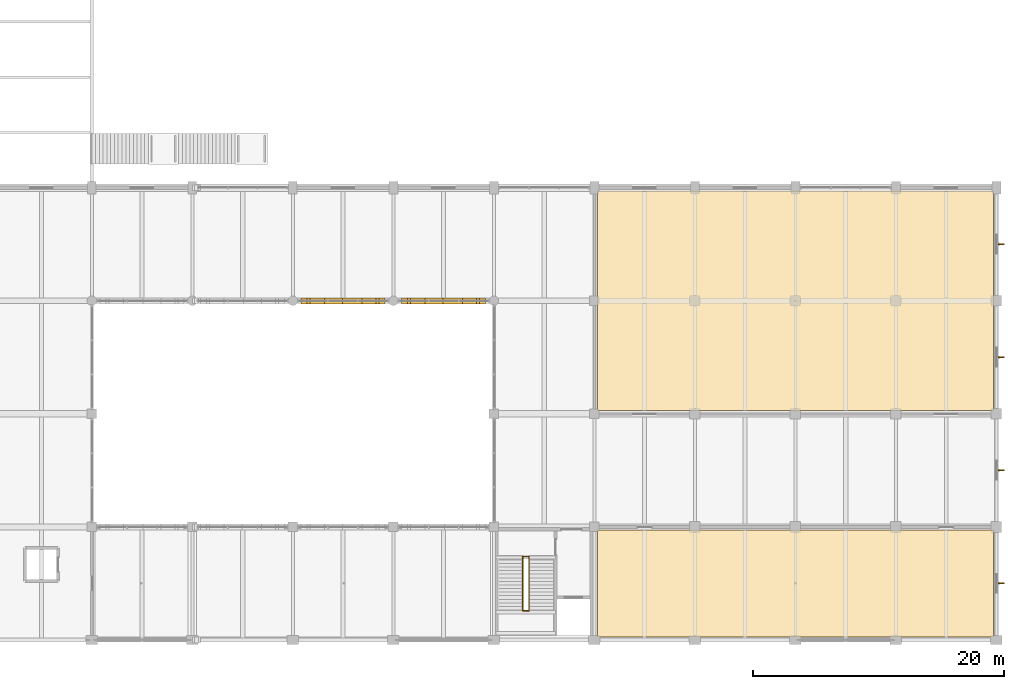
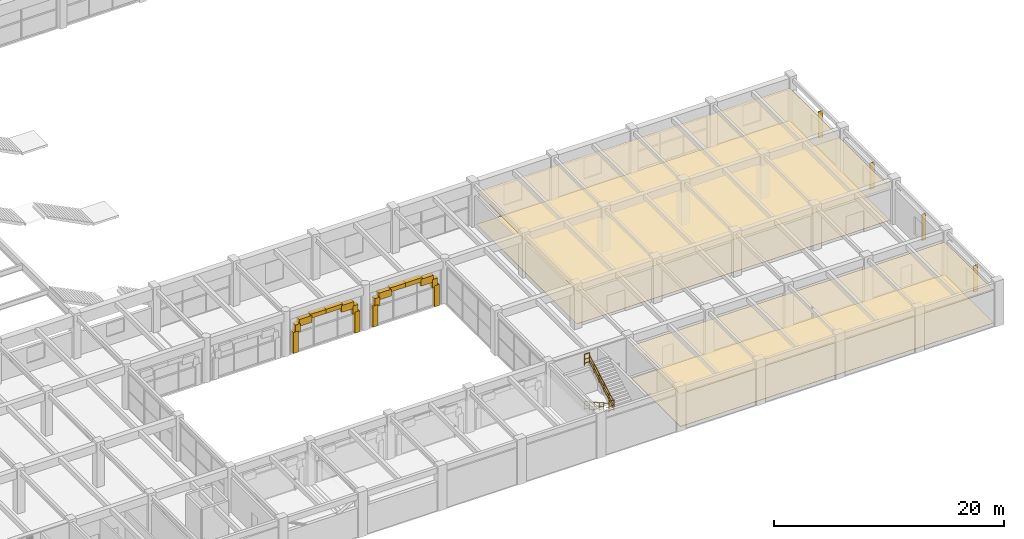
# One storey, part 142 of 144: 20 coverings, 4 railings, 4 shading devices.
"""IFC4 building model written with IfcOpenShell, lengths in metres."""

from ifc_helpers import new_model, si_unit, direction, frame, origin, origin_2d, place, context, subcontext, project, spatial, polyline, rectangle, circle, outline, extrude, material, layer, layer_set, type_object, element, save


model = new_model("IFC4")

# Units and contexts
model_context = context("Model", 3, precision=1e-05, world=origin(), true_north=direction((0.0, 1.0)))
body_context = subcontext(model_context, "Body", "Model", "MODEL_VIEW")
ifc_project = project(units=[si_unit("LENGTHUNIT", "METRE"), si_unit("AREAUNIT", "SQUARE_METRE"), si_unit("VOLUMEUNIT", "CUBIC_METRE"), si_unit("PLANEANGLEUNIT", "RADIAN"), si_unit("MASSUNIT", "GRAM", prefix="KILO")], contexts=[model_context])

# Site, building, storey
site_placement = place(None, origin())
site = spatial("IfcSite", under=ifc_project, at=site_placement, CompositionType="ELEMENT")
building_placement = place(site_placement, origin())
building = spatial("IfcBuilding", under=site, at=building_placement, Name="Varnabhumi Central Station", CompositionType="ELEMENT")
storey_placement = place(building_placement, frame((0.0, 0.0, 4.800048828125)))
storey = spatial("IfcBuildingStorey", under=building, at=storey_placement, Name="L01", CompositionType="ELEMENT", Elevation=4.800048828125)

# Coverings
ifc_material_1 = material(Name="Mineral-fibre acoustic tile")
ifc_layer_1 = layer(ifc_material_1, 0.02490234375, Name="Mineral-fibre acoustic tile")
ifc_layer_set_1 = layer_set([ifc_layer_1], Name="Mineral-fibre acoustic tile")
covering_type_1 = type_object("IfcCoveringType", Name="COV-CEIL-ACOUSTIC", PredefinedType="CEILING", material=ifc_layer_set_1)
covering_1_placement = place(storey_placement, frame((0.0, 0.0, 3.469970703125)))
element("IfcCovering", 1, at=covering_1_placement, inside=storey, type_object=covering_type_1, Name="On-Board Train Catering Commissary Acoustic Ceiling", PredefinedType="CEILING", context=body_context, shape_type="SweptSolid", body=[
    extrude(outline(polyline([(152.25, 18.25), (183.75, 18.25), (183.75, 35.75), (152.25, 35.75), (152.25, 18.25)])), origin(), (0.0, 0.0, 1.0), 0.02490234375),
])
covering_2_placement = place(storey_placement, frame((0.0, 0.0, 3.469970703125)))
element("IfcCovering", 2, at=covering_2_placement, inside=storey, type_object=covering_type_1, Name="Dry Commissary Store Acoustic Ceiling", PredefinedType="CEILING", context=body_context, shape_type="SweptSolid", body=[
    extrude(outline(polyline([(152.25, 0.25), (183.75, 0.25), (183.75, 8.75), (152.25, 8.75), (152.25, 0.25)])), origin(), (0.0, 0.0, 1.0), 0.02490234375),
])
ifc_material_2 = material(Name="Vitrified granite stone flooring", Category="masonry")
ifc_layer_2 = layer(ifc_material_2, 0.030029296875, Name="Vitrified granite stone flooring", Category="masonry")
ifc_layer_set_2 = layer_set([ifc_layer_2], Name="Vitrified granite stone flooring")
covering_type_2 = type_object("IfcCoveringType", Name="COV-FLOR-GRANITE", PredefinedType="FLOORING", material=ifc_layer_set_2)
covering_3_placement = place(storey_placement, origin())
element("IfcCovering", 3, at=covering_3_placement, inside=storey, type_object=covering_type_2, Name="On-Board Train Catering Commissary Granite Flooring", PredefinedType="FLOORING", context=body_context, shape_type="SweptSolid", body=[
    extrude(outline(polyline([(152.25, 18.25), (183.75, 18.25), (183.75, 35.75), (152.25, 35.75), (152.25, 18.25)])), origin(), (0.0, 0.0, 1.0), 0.030029296875),
])
covering_4_placement = place(storey_placement, origin())
element("IfcCovering", 4, at=covering_4_placement, inside=storey, type_object=covering_type_2, Name="Dry Commissary Store Granite Flooring", PredefinedType="FLOORING", context=body_context, shape_type="SweptSolid", body=[
    extrude(outline(polyline([(152.25, 0.25), (183.75, 0.25), (183.75, 8.75), (152.25, 8.75), (152.25, 0.25)])), origin(), (0.0, 0.0, 1.0), 0.030029296875),
])
ifc_material_3 = material(Name="Terracotta clay Mission barrel tile", Category="masonry")
ifc_layer_3 = layer(ifc_material_3, 0.02001953125, Name="Terracotta clay Mission barrel tile", Category="masonry")
ifc_layer_set_3 = layer_set([ifc_layer_3], Name="Terracotta clay Mission barrel tile")
covering_type_3 = type_object("IfcCoveringType", Name="COV-WALL-FAIENCE", PredefinedType="CLADDING", material=ifc_layer_set_3)
covering_5_placement = place(storey_placement, frame((129.107421875, 27.0, 2.06005859375), z_axis=(0.0, 0.0, 1.0), x_axis=(1.0, 0.0, 0.0)))
element("IfcCovering", 5, at=covering_5_placement, inside=storey, type_object=covering_type_3, Name="South Patio Cloister Arch L01-N3 Stone Voussoir 1", PredefinedType="CLADDING", context=body_context, shape_type="SweptSolid", body=[
    extrude(rectangle(XDim=0.534912109375, YDim=0.47998046875, at=origin_2d()), origin(), (0.0, 0.0, 1.0), 0.8798828125),
])
covering_6_placement = place(storey_placement, frame((129.882568359375, 27.0, 2.66015625), z_axis=(0.0, 0.0, 1.0), x_axis=(1.0, 0.0, 0.0)))
element("IfcCovering", 6, at=covering_6_placement, inside=storey, type_object=covering_type_3, Name="South Patio Cloister Arch L01-N3 Stone Voussoir 2", PredefinedType="CLADDING", context=body_context, shape_type="SweptSolid", body=[
    extrude(rectangle(XDim=1.2548828125, YDim=0.47998046875, at=origin_2d()), origin(), (0.0, 0.0, 1.0), 0.718994140625),
])
for number, where, z_axis, x_axis, name in (
    (7, (131.22509765625, 27.0, 3.098876953125), (0.0, 0.0, 1.0), (1.0, 0.0, 0.0), "South Patio Cloister Arch L01-N3 Stone Voussoir 3"),
    (8, (132.77490234375, 27.0, 3.098876953125), (0.0, 0.0, 1.0), (1.0, 0.0, 0.0), "South Patio Cloister Arch L01-N3 Stone Voussoir 4"),
):
    element("IfcCovering", number, at=place(storey_placement, frame(where, z_axis=z_axis, x_axis=x_axis)), inside=storey, type_object=covering_type_3, Name=name, PredefinedType="CLADDING", context=body_context, shape_type="SweptSolid", body=[
        extrude(rectangle(XDim=1.669921875, YDim=0.47998046875, at=origin_2d()), origin(), (0.0, 0.0, 1.0), 0.44091796875),
    ])
covering_7_placement = place(storey_placement, frame((134.117431640625, 27.0, 2.66015625), z_axis=(0.0, 0.0, 1.0), x_axis=(1.0, 0.0, 0.0)))
element("IfcCovering", 9, at=covering_7_placement, inside=storey, type_object=covering_type_3, Name="South Patio Cloister Arch L01-N3 Stone Voussoir 5", PredefinedType="CLADDING", context=body_context, shape_type="SweptSolid", body=[
    extrude(rectangle(XDim=1.2548828125, YDim=0.47998046875, at=origin_2d()), origin(), (0.0, 0.0, 1.0), 0.718994140625),
])
covering_8_placement = place(storey_placement, frame((134.892578125, 27.0, 2.06005859375), z_axis=(0.0, 0.0, 1.0), x_axis=(1.0, 0.0, 0.0)))
element("IfcCovering", 10, at=covering_8_placement, inside=storey, type_object=covering_type_3, Name="South Patio Cloister Arch L01-N3 Stone Voussoir 6", PredefinedType="CLADDING", context=body_context, shape_type="SweptSolid", body=[
    extrude(rectangle(XDim=0.534912109375, YDim=0.47998046875, at=origin_2d()), origin(), (0.0, 0.0, 1.0), 0.8798828125),
])
for number, where, z_axis, x_axis, name in (
    (11, (128.89990234375, 27.0, -0.02001953125), (0.0, 0.0, 1.0), (1.0, 0.0, 0.0), "South Patio Cloister Arch L01-N3 Classical Pilaster 1"),
    (12, (135.10009765625, 27.0, -0.02001953125), (0.0, 0.0, 1.0), (1.0, 0.0, 0.0), "South Patio Cloister Arch L01-N3 Classical Pilaster 2"),
):
    element("IfcCovering", number, at=place(storey_placement, frame(where, z_axis=z_axis, x_axis=x_axis)), inside=storey, type_object=covering_type_3, Name=name, PredefinedType="CLADDING", context=body_context, shape_type="SweptSolid", body=[
        extrude(rectangle(XDim=0.47998046875, YDim=0.47998046875, at=origin_2d()), origin(), (0.0, 0.0, 1.0), 2.239990234375),
    ])
covering_9_placement = place(storey_placement, frame((137.107421875, 27.0, 2.06005859375), z_axis=(0.0, 0.0, 1.0), x_axis=(1.0, 0.0, 0.0)))
element("IfcCovering", 13, at=covering_9_placement, inside=storey, type_object=covering_type_3, Name="South Patio Cloister Arch L01-N4 Stone Voussoir 1", PredefinedType="CLADDING", context=body_context, shape_type="SweptSolid", body=[
    extrude(rectangle(XDim=0.534912109375, YDim=0.47998046875, at=origin_2d()), origin(), (0.0, 0.0, 1.0), 0.8798828125),
])
covering_10_placement = place(storey_placement, frame((137.882568359375, 27.0, 2.66015625), z_axis=(0.0, 0.0, 1.0), x_axis=(1.0, 0.0, 0.0)))
element("IfcCovering", 14, at=covering_10_placement, inside=storey, type_object=covering_type_3, Name="South Patio Cloister Arch L01-N4 Stone Voussoir 2", PredefinedType="CLADDING", context=body_context, shape_type="SweptSolid", body=[
    extrude(rectangle(XDim=1.2548828125, YDim=0.47998046875, at=origin_2d()), origin(), (0.0, 0.0, 1.0), 0.718994140625),
])
for number, where, z_axis, x_axis, name in (
    (15, (139.22509765625, 27.0, 3.098876953125), (0.0, 0.0, 1.0), (1.0, 0.0, 0.0), "South Patio Cloister Arch L01-N4 Stone Voussoir 3"),
    (16, (140.77490234375, 27.0, 3.098876953125), (0.0, 0.0, 1.0), (1.0, 0.0, 0.0), "South Patio Cloister Arch L01-N4 Stone Voussoir 4"),
):
    element("IfcCovering", number, at=place(storey_placement, frame(where, z_axis=z_axis, x_axis=x_axis)), inside=storey, type_object=covering_type_3, Name=name, PredefinedType="CLADDING", context=body_context, shape_type="SweptSolid", body=[
        extrude(rectangle(XDim=1.669921875, YDim=0.47998046875, at=origin_2d()), origin(), (0.0, 0.0, 1.0), 0.44091796875),
    ])
covering_11_placement = place(storey_placement, frame((142.117431640625, 27.0, 2.66015625), z_axis=(0.0, 0.0, 1.0), x_axis=(1.0, 0.0, 0.0)))
element("IfcCovering", 17, at=covering_11_placement, inside=storey, type_object=covering_type_3, Name="South Patio Cloister Arch L01-N4 Stone Voussoir 5", PredefinedType="CLADDING", context=body_context, shape_type="SweptSolid", body=[
    extrude(rectangle(XDim=1.2548828125, YDim=0.47998046875, at=origin_2d()), origin(), (0.0, 0.0, 1.0), 0.718994140625),
])
covering_12_placement = place(storey_placement, frame((142.892578125, 27.0, 2.06005859375), z_axis=(0.0, 0.0, 1.0), x_axis=(1.0, 0.0, 0.0)))
element("IfcCovering", 18, at=covering_12_placement, inside=storey, type_object=covering_type_3, Name="South Patio Cloister Arch L01-N4 Stone Voussoir 6", PredefinedType="CLADDING", context=body_context, shape_type="SweptSolid", body=[
    extrude(rectangle(XDim=0.534912109375, YDim=0.47998046875, at=origin_2d()), origin(), (0.0, 0.0, 1.0), 0.8798828125),
])
for number, where, z_axis, x_axis, name in (
    (19, (136.89990234375, 27.0, -0.02001953125), (0.0, 0.0, 1.0), (1.0, 0.0, 0.0), "South Patio Cloister Arch L01-N4 Classical Pilaster 1"),
    (20, (143.10009765625, 27.0, -0.02001953125), (0.0, 0.0, 1.0), (1.0, 0.0, 0.0), "South Patio Cloister Arch L01-N4 Classical Pilaster 2"),
):
    element("IfcCovering", number, at=place(storey_placement, frame(where, z_axis=z_axis, x_axis=x_axis)), inside=storey, type_object=covering_type_3, Name=name, PredefinedType="CLADDING", context=body_context, shape_type="SweptSolid", body=[
        extrude(rectangle(XDim=0.47998046875, YDim=0.47998046875, at=origin_2d()), origin(), (0.0, 0.0, 1.0), 2.239990234375),
    ])

# Railings
ifc_material_4 = material(Name="Stainless steel Grade 316", Category="steel")
railing_type_1 = type_object("IfcRailingType", Name="RAIL-STAIR-GRD-1150", PredefinedType="GUARDRAIL", material=ifc_material_4)
for number, where, name in (
    (21, (146.300048828125, 2.324951171875, 2.39990234375), "ST-S3 L01 Half-Landing Well Guard"),
    (22, (146.300048828125, 6.639892578125, 4.800048828125), "ST-S3 L01 Arrival Slot Guard"),
):
    element("IfcRailing", number, at=place(storey_placement, frame(where)), inside=storey, type_object=railing_type_1, Name=name, PredefinedType="GUARDRAIL", context=body_context, shape_type="SweptSolid", body=[
        extrude(circle(Radius=0.02392578125, at=origin_2d()), frame((0.0, 0.0, 1.1259765625), z_axis=(1.0, 0.0, 0.0), x_axis=(0.0, 1.0, 0.0)), (0.0, 0.0, 1.0), 0.5),
        extrude(circle(Radius=0.01416015625, at=origin_2d()), frame((0.0, 0.0, 0.597900390625), z_axis=(1.0, 0.0, 0.0), x_axis=(0.0, 1.0, 0.0)), (0.0, 0.0, 1.0), 0.5),
        extrude(circle(Radius=0.01416015625, at=origin_2d()), frame((0.0, 0.0, 0.18408203125), z_axis=(1.0, 0.0, 0.0), x_axis=(0.0, 1.0, 0.0)), (0.0, 0.0, 1.0), 0.5),
        extrude(circle(Radius=0.02099609375, at=origin_2d()), origin(), (0.0, 0.0, 1.0), 1.101806640625),
        extrude(circle(Radius=0.02099609375, at=origin_2d()), frame((0.5, 0.0, 0.0)), (0.0, 0.0, 1.0), 1.101806640625),
    ])
railing_type_2 = type_object("IfcRailingType", Name="RAIL-STAIR-HR-920", PredefinedType="HANDRAIL", material=ifc_material_4)
railing_1_placement = place(storey_placement, frame((146.300048828125, 6.659912109375, 0.0)))
element("IfcRailing", 23, at=railing_1_placement, inside=storey, type_object=railing_type_2, Name="ST-S3 L01 Flight 1 Handrail", PredefinedType="HANDRAIL", context=body_context, shape_type="SweptSolid", body=[
    extrude(circle(Radius=0.02392578125, at=origin_2d()), frame((0.0, 0.0, 0.89599609375), z_axis=(0.0, -0.871987514779, 0.489528113665), x_axis=(1.0, 0.0, 0.0)), (0.0, 0.0, 1.0), 4.902587890625),
    extrude(circle(Radius=0.01416015625, at=origin_2d()), frame((0.0, 0.0, 0.478271484375), z_axis=(0.0, -0.871987514779, 0.489528113665), x_axis=(1.0, 0.0, 0.0)), (0.0, 0.0, 1.0), 4.902587890625),
    extrude(circle(Radius=0.01416015625, at=origin_2d()), frame((0.0, 0.0, 0.147216796875), z_axis=(0.0, -0.871987514779, 0.489528113665), x_axis=(1.0, 0.0, 0.0)), (0.0, 0.0, 1.0), 4.902587890625),
    extrude(circle(Radius=0.02099609375, at=origin_2d()), origin(), (0.0, 0.0, 1.0), 0.871826171875),
    extrude(circle(Radius=0.02099609375, at=origin_2d()), frame((0.0, -0.85498046875, 0.47998046875)), (0.0, 0.0, 1.0), 0.871826171875),
    extrude(circle(Radius=0.02099609375, at=origin_2d()), frame((0.0, -1.7099609375, 0.9599609375)), (0.0, 0.0, 1.0), 0.871826171875),
    extrude(circle(Radius=0.02099609375, at=origin_2d()), frame((0.0, -2.56494140625, 1.43994140625)), (0.0, 0.0, 1.0), 0.871826171875),
    extrude(circle(Radius=0.02099609375, at=origin_2d()), frame((0.0, -3.419921875, 1.919921875)), (0.0, 0.0, 1.0), 0.871826171875),
    extrude(circle(Radius=0.02099609375, at=origin_2d()), frame((0.0, -4.27490234375, 2.39990234375)), (0.0, 0.0, 1.0), 0.871826171875),
])
railing_2_placement = place(storey_placement, frame((146.800048828125, 2.385009765625, 2.39990234375)))
element("IfcRailing", 24, at=railing_2_placement, inside=storey, type_object=railing_type_2, Name="ST-S3 L01 Flight 2 Handrail", PredefinedType="HANDRAIL", context=body_context, shape_type="SweptSolid", body=[
    extrude(circle(Radius=0.02392578125, at=origin_2d()), frame((0.0, 0.0, 0.89599609375), z_axis=(0.0, 0.871966256983, 0.489565977864), x_axis=(-1.0, 0.0, 0.0)), (0.0, 0.0, 1.0), 4.902587890625),
    extrude(circle(Radius=0.01416015625, at=origin_2d()), frame((0.0, 0.0, 0.478271484375), z_axis=(0.0, 0.871966256983, 0.489565977864), x_axis=(-1.0, 0.0, 0.0)), (0.0, 0.0, 1.0), 4.902587890625),
    extrude(circle(Radius=0.01416015625, at=origin_2d()), frame((0.0, 0.0, 0.147216796875), z_axis=(0.0, 0.871966256983, 0.489565977864), x_axis=(-1.0, 0.0, 0.0)), (0.0, 0.0, 1.0), 4.902587890625),
    extrude(circle(Radius=0.02099609375, at=origin_2d()), origin(), (0.0, 0.0, 1.0), 0.871826171875),
    extrude(circle(Radius=0.02099609375, at=origin_2d()), frame((0.0, 0.85498046875, 0.47998046875)), (0.0, 0.0, 1.0), 0.871826171875),
    extrude(circle(Radius=0.02099609375, at=origin_2d()), frame((0.0, 1.7099609375, 0.9599609375)), (0.0, 0.0, 1.0), 0.871826171875),
    extrude(circle(Radius=0.02099609375, at=origin_2d()), frame((0.0, 2.56494140625, 1.440185546875)), (0.0, 0.0, 1.0), 0.871826171875),
    extrude(circle(Radius=0.02099609375, at=origin_2d()), frame((0.0, 3.419921875, 1.920166015625)), (0.0, 0.0, 1.0), 0.871826171875),
    extrude(circle(Radius=0.02099609375, at=origin_2d()), frame((0.0, 4.27490234375, 2.400146484375)), (0.0, 0.0, 1.0), 0.871826171875),
])

# Shading devices
ifc_material_5 = material(Name="Anodised aluminium 6063-T6", Category="aluminium")
shading_device_type = type_object("IfcShadingDeviceType", Name="SHD-LOUVER-FIN", PredefinedType="SHUTTER", material=ifc_material_5)
for number, where, z_axis, x_axis, name in (
    (25, (184.3798828125, 4.5, 0.60009765625), (0.0, 0.0, 1.0), (1.0, 0.0, 0.0), "West Solar Louver Fin 1"),
    (26, (184.3798828125, 13.5, 0.60009765625), (0.0, 0.0, 1.0), (1.0, 0.0, 0.0), "West Solar Louver Fin 2"),
    (27, (184.3798828125, 22.5, 0.60009765625), (0.0, 0.0, 1.0), (1.0, 0.0, 0.0), "West Solar Louver Fin 3"),
    (28, (184.3798828125, 31.5, 0.60009765625), (0.0, 0.0, 1.0), (1.0, 0.0, 0.0), "West Solar Louver Fin 4"),
):
    element("IfcShadingDevice", number, at=place(storey_placement, frame(where, z_axis=z_axis, x_axis=x_axis)), inside=storey, type_object=shading_device_type, Name=name, PredefinedType="SHUTTER", context=body_context, shape_type="SweptSolid", body=[
        extrude(rectangle(XDim=0.449951171875, YDim=0.080078125, at=origin_2d()), origin(), (0.0, 0.0, 1.0), 2.800048828125),
    ])

save(model, "model.ifc")
